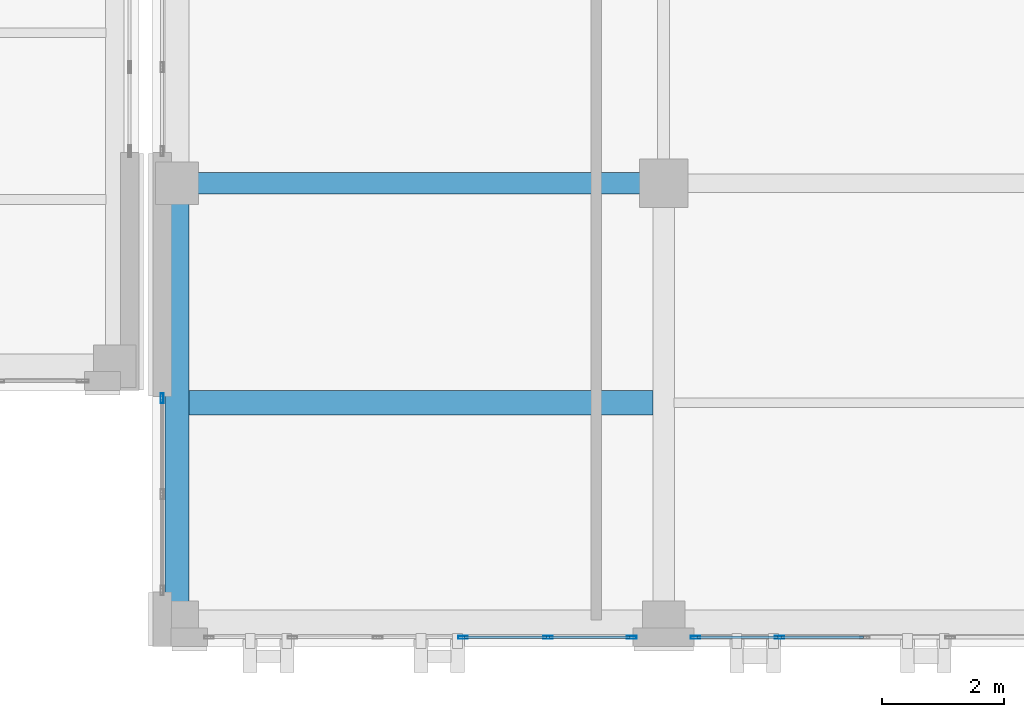
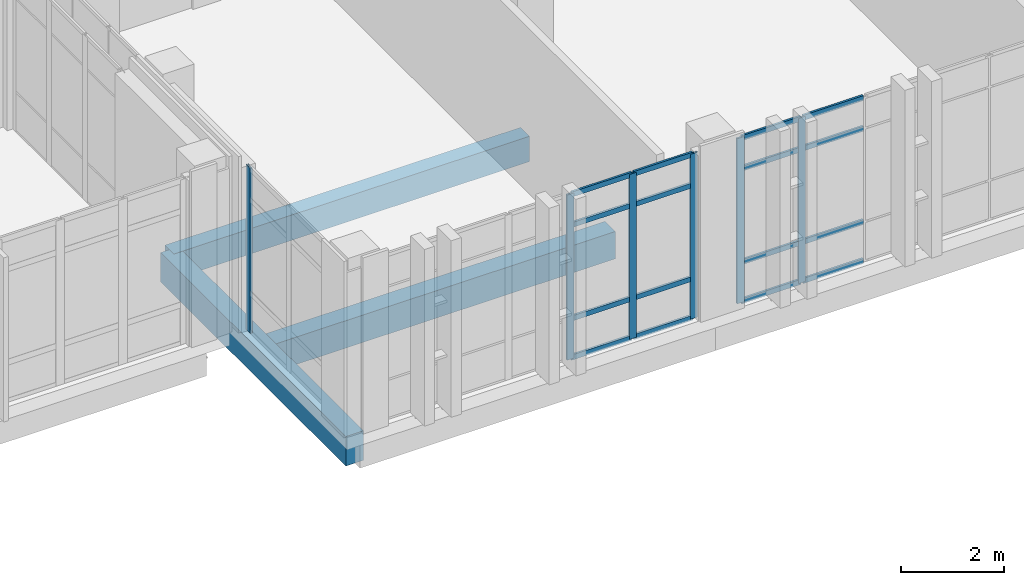
# One storey, part 46 of 193: 22 members, 3 beams, 3 elements without a shape of their own.
"""IFC4 building model written with IfcOpenShell, lengths in metres."""

import ifcopenshell
import ifcopenshell.guid

model = None  # the IFC model being written
_history = None  # IfcOwnerHistory: only IFC2X3 demands one
_inside = {}  # id of a spatial element -> (the spatial element, [elements in it])
_under = {}  # id of a project, library or spatial element -> (it, [spatial elements below it])
_declared = {}  # id of a project -> (the project, [libraries it declares])
_typed = {}  # id of a type object -> (the type object, [elements of that type])
_made_of = {}  # id of a material, layer set ... -> (it, [elements and type objects made of it])


def new_model(schema):
    """Start an empty IFC model of exactly this schema.

    Asked for "IFC4X3", IfcOpenShell would pick the latest addendum, in which some entities
    have other attributes; the version numbers below select the first issue.
    IFC2X3 requires an IfcOwnerHistory on every rooted entity: one is made here for all.
    """
    global model, _history
    if schema == "IFC4X3":
        model = ifcopenshell.file(schema_version=(4, 3, 0, 0))
    else:
        model = ifcopenshell.file(schema=schema)
    _inside.clear()
    _under.clear()
    _declared.clear()
    _typed.clear()
    _made_of.clear()
    _history = None
    if model.schema == "IFC2X3":
        org = make("IfcOrganization", Name="unknown")
        user = make(
            "IfcPersonAndOrganization",
            ThePerson=make("IfcPerson", FamilyName="unknown"),
            TheOrganization=org,
        )
        app = make(
            "IfcApplication",
            ApplicationDeveloper=org,
            Version="unknown",
            ApplicationFullName="unknown",
            ApplicationIdentifier="unknown",
        )
        _history = make(
            "IfcOwnerHistory",
            OwningUser=user,
            OwningApplication=app,
            ChangeAction="ADDED",
            CreationDate=0,
        )
    return model


def make(cls, **values):
    """One entity of the class cls with the attributes given. An attribute that is None is left unset."""
    return model.create_entity(
        cls, **{name: value for name, value in values.items() if value is not None}
    )


def rooted(cls, **values):
    """An entity with a GlobalId (a new one), such as an element, a storey or a relation."""
    return make(cls, GlobalId=ifcopenshell.guid.new(), OwnerHistory=_history, **values)


def si_unit(unit_type, name, prefix=None):
    """IfcSIUnit, for example si_unit("LENGTHUNIT", "METRE", prefix="MILLI")."""
    return make("IfcSIUnit", UnitType=unit_type, Prefix=prefix, Name=name)


def assignment(units):
    """IfcUnitAssignment: the units of a project."""
    return None if units is None else make("IfcUnitAssignment", Units=units)


def point(xyz):
    """IfcCartesianPoint."""
    return None if xyz is None else make("IfcCartesianPoint", Coordinates=xyz)


def direction(xyz):
    """IfcDirection."""
    return None if xyz is None else make("IfcDirection", DirectionRatios=xyz)


def frame(location, z_axis=None, x_axis=None):
    """IfcAxis2Placement3D, a coordinate frame: its origin and axes. An axis left out is left unset."""
    return make(
        "IfcAxis2Placement3D",
        Location=point(location),
        Axis=direction(z_axis),
        RefDirection=direction(x_axis),
    )


def frame_2d(location, x_axis=None):
    """IfcAxis2Placement2D, a coordinate frame in the plane: its origin and x axis."""
    return make(
        "IfcAxis2Placement2D", Location=point(location), RefDirection=direction(x_axis)
    )


def origin():
    """The frame at (0, 0, 0) with its axes left unset."""
    return frame((0.0, 0.0, 0.0))


def origin_2d():
    """The frame at (0, 0) in the plane with its x axis left unset."""
    return frame_2d((0.0, 0.0))


def place(relative_to, where):
    """IfcLocalPlacement: puts the frame where relative to a parent placement (None: the world)."""
    return make(
        "IfcLocalPlacement", PlacementRelTo=relative_to, RelativePlacement=where
    )


def context(
    kind, dimensions, precision=None, world=None, true_north=None, identifier=None
):
    """IfcGeometricRepresentationContext, for example the 3D "Model" context."""
    return make(
        "IfcGeometricRepresentationContext",
        ContextIdentifier=identifier,
        ContextType=kind,
        CoordinateSpaceDimension=dimensions,
        Precision=precision,
        WorldCoordinateSystem=world,
        TrueNorth=true_north,
    )


def subcontext(parent, identifier, kind, view, scale=None):
    """IfcGeometricRepresentationSubContext, for example "Body" below "Model"."""
    return make(
        "IfcGeometricRepresentationSubContext",
        ContextIdentifier=identifier,
        ContextType=kind,
        ParentContext=parent,
        TargetScale=scale,
        TargetView=view,
    )


def project(units=None, contexts=None):
    """IfcProject with its units and contexts."""
    return rooted(
        "IfcProject",
        Name="project",
        RepresentationContexts=contexts,
        UnitsInContext=assignment(units),
    )


def spatial(cls, under=None, at=None, **own):
    """A site, building, storey or space (cls), placed at a placement, below another one or the project."""
    s = rooted(cls, ObjectPlacement=at, **own)
    if under is not None:
        _under.setdefault(under.id(), (under, []))[1].append(s)
    return s


def profile(cls, at=None, kind="AREA", **sizes):
    """A parametric profile (cls). Its sizes go by their IFC names, for example OverallWidth=200.0."""
    return make(cls, ProfileType=kind, Position=at, **sizes)


def rectangle(**sizes):
    """IfcRectangleProfileDef."""
    return profile("IfcRectangleProfileDef", **sizes)


def hollow_rectangle(**sizes):
    """IfcRectangleHollowProfileDef."""
    return profile("IfcRectangleHollowProfileDef", **sizes)


def extrude(swept, where, along, depth):
    """IfcExtrudedAreaSolid: the profile swept, set in the frame where, extruded along a direction by depth."""
    return make(
        "IfcExtrudedAreaSolid",
        SweptArea=swept,
        Position=where,
        ExtrudedDirection=direction(along),
        Depth=depth,
    )


def shape(context_of_items, identifier, shape_type, items):
    """IfcShapeRepresentation: the items that make up one representation, for example the "Body"."""
    return make(
        "IfcShapeRepresentation",
        ContextOfItems=context_of_items,
        RepresentationIdentifier=identifier,
        RepresentationType=shape_type,
        Items=items,
    )


def material(Name=None, Category=None):
    """IfcMaterial."""
    return make("IfcMaterial", Name=Name, Category=Category)


def layer(
    of_material, thickness, ventilated=None, Name=None, Category=None, Priority=None
):
    """IfcMaterialLayer: one layer of a wall or slab, of a material (None: an air gap)."""
    return make(
        "IfcMaterialLayer",
        Material=of_material,
        LayerThickness=thickness,
        IsVentilated=ventilated,
        Name=Name,
        Category=Category,
        Priority=Priority,
    )


def layer_set(layers, Name=None):
    """IfcMaterialLayerSet."""
    return make("IfcMaterialLayerSet", MaterialLayers=layers, LayerSetName=Name)


def material_profile(
    of_material, cross_section, Name=None, Category=None, Priority=None
):
    """IfcMaterialProfile: a cross section and its material."""
    return make(
        "IfcMaterialProfile",
        Name=Name,
        Material=of_material,
        Profile=cross_section,
        Priority=Priority,
        Category=Category,
    )


def profile_set(profiles, Name=None, composite=None):
    """IfcMaterialProfileSet."""
    return make(
        "IfcMaterialProfileSet",
        Name=Name,
        MaterialProfiles=profiles,
        CompositeProfile=composite,
    )


def made_of(thing, what):
    """Note that an element or type object is made of a material, layer set ...; save() writes the relation."""
    if what is not None:
        _made_of.setdefault(what.id(), (what, []))[1].append(thing)
    return thing


def type_object(cls, material=None, **own):
    """A type object (cls), such as IfcWallType, which elements share."""
    return made_of(rooted(cls, **own), material)


def element(
    cls,
    number,
    at=None,
    inside=None,
    cuts=None,
    type_object=None,
    material=None,
    context=None,
    identifier="Body",
    shape_type=None,
    held_by="IfcProductDefinitionShape",
    body=None,
    shapes=None,
    **own,
):
    """One element of the class cls, such as IfcWall. Its Tag is "e" and its number.

    at: its placement. inside: the storey or other place that contains it. cuts: it is an
    opening in that element (IfcRelVoidsElement). A single representation is given by context,
    identifier, shape_type and body (its items); several are given by shapes. held_by: the class
    of the entity that holds the representations. save() writes the other relations.
    """
    e = rooted(cls, Tag="e%d" % number, ObjectPlacement=at, **own)
    if body is not None:
        shapes = [shape(context, identifier, shape_type, body)]
    if shapes is not None:
        e.Representation = make(held_by, Representations=shapes)
    if inside is not None:
        _inside.setdefault(inside.id(), (inside, []))[1].append(e)
    if cuts is not None:
        rooted(
            "IfcRelVoidsElement", RelatingBuildingElement=cuts, RelatedOpeningElement=e
        )
    if type_object is not None:
        _typed.setdefault(type_object.id(), (type_object, []))[1].append(e)
    return made_of(e, material)


def aggregate(whole, parts):
    """IfcRelAggregates: a whole, such as a stair, and the parts it consists of."""
    return rooted("IfcRelAggregates", RelatingObject=whole, RelatedObjects=parts)


def save(model, path):
    """Write the relations noted so far, then the file.

    IfcRelAggregates (storeys below a building ...), IfcRelContainedInSpatialStructure (elements
    in a storey), IfcRelDefinesByType, IfcRelAssociatesMaterial and IfcRelDeclares: one each for
    every whole, place, type object, material and project.
    """
    for whole, parts in _under.values():
        aggregate(whole, parts)
    for where, things in _inside.values():
        rooted(
            "IfcRelContainedInSpatialStructure",
            RelatedElements=things,
            RelatingStructure=where,
        )
    for kind, things in _typed.values():
        rooted("IfcRelDefinesByType", RelatedObjects=things, RelatingType=kind)
    for what, things in _made_of.values():
        rooted("IfcRelAssociatesMaterial", RelatedObjects=things, RelatingMaterial=what)
    for by, libraries in _declared.values():
        rooted("IfcRelDeclares", RelatingContext=by, RelatedDefinitions=libraries)
    model.write(path)


model = new_model("IFC4")

# Units and contexts
model_context = context("Model", 3, precision=1e-05, world=origin(), true_north=direction((0.0, 1.0)))
body_context = subcontext(model_context, "Body", "Model", "MODEL_VIEW")
ifc_project = project(units=[si_unit("LENGTHUNIT", "METRE"), si_unit("AREAUNIT", "SQUARE_METRE"), si_unit("VOLUMEUNIT", "CUBIC_METRE"), si_unit("PLANEANGLEUNIT", "RADIAN"), si_unit("MASSUNIT", "GRAM", prefix="KILO")], contexts=[model_context])

# Site, building, storey
site_placement = place(None, origin())
site = spatial("IfcSite", under=ifc_project, at=site_placement, CompositionType="ELEMENT")
building_placement = place(site_placement, origin())
building = spatial("IfcBuilding", under=site, at=building_placement, Name="Qalavern Law Courts", CompositionType="ELEMENT")
storey_placement = place(building_placement, frame((0.0, 0.0, 10.199951171875)))
storey = spatial("IfcBuildingStorey", under=building, at=storey_placement, Name="L02", CompositionType="ELEMENT", Elevation=10.199951171875)

# Curtain wall, members
ifc_material_1 = material(Name="Anodised aluminium and insulated glazing", Category="aluminium")
ifc_layer = layer(ifc_material_1, 0.172119140625)
ifc_layer_set = layer_set([ifc_layer], Name="Anodised aluminium and insulated glazing")
curtain_wall_type = type_object("IfcCurtainWallType", Name="ENV-CW-COURT", PredefinedType="USERDEFINED", material=ifc_layer_set)
curtain_wall_1_placement = place(storey_placement, origin())
curtain_wall_1 = element("IfcCurtainWall", 1, at=curtain_wall_1_placement, inside=storey, type_object=curtain_wall_type, Name="V6 unitised curtain wall L02 south 1", ObjectType="UNITISED CURTAIN WALL", PredefinedType="USERDEFINED")
ifc_material_2 = material(Name="Anodised aluminium", Category="aluminium")
ifc_material_profile_1 = material_profile(ifc_material_2, hollow_rectangle(XDim=0.048095703125, YDim=0.159912109375, WallThickness=0.00390625, at=origin_2d()), Name="ALU MULLION 48x160")
ifc_profile_set_1 = profile_set([ifc_material_profile_1], Name="Anodised aluminium")
member_type_1 = type_object("IfcMemberType", Name="ENV-CWM-48x160", PredefinedType="MULLION", material=ifc_profile_set_1)
member_1_placement = place(storey_placement, frame((106.508056640625, 1.155029296875, 0.0), z_axis=(0.0, 0.0, 1.0), x_axis=(0.0, 1.0, 0.0)))
member_1 = element("IfcMember", 2, at=member_1_placement, type_object=member_type_1, Name="CW-03 mullion 4", PredefinedType="MULLION", context=body_context, shape_type="SweptSolid", body=[
    extrude(hollow_rectangle(XDim=0.048095703125, YDim=0.159912109375, WallThickness=0.00390625, at=origin_2d()), origin(), (0.0, 0.0, 1.0), 3.9150390625),
])
member_2_placement = place(storey_placement, frame((107.904052734375, 1.155029296875, 0.0), z_axis=(0.0, 0.0, 1.0), x_axis=(0.0, 1.0, 0.0)))
member_2 = element("IfcMember", 3, at=member_2_placement, type_object=member_type_1, Name="CW-03 mullion 5", PredefinedType="MULLION", context=body_context, shape_type="SweptSolid", body=[
    extrude(hollow_rectangle(XDim=0.048095703125, YDim=0.159912109375, WallThickness=0.00390625, at=origin_2d()), origin(), (0.0, 0.0, 1.0), 3.9150390625),
])
member_3_placement = place(storey_placement, frame((109.27587890625, 1.155029296875, 0.0), z_axis=(0.0, 0.0, 1.0), x_axis=(0.0, 1.0, 0.0)))
member_3 = element("IfcMember", 4, at=member_3_placement, type_object=member_type_1, Name="CW-03 mullion 6", PredefinedType="MULLION", context=body_context, shape_type="SweptSolid", body=[
    extrude(hollow_rectangle(XDim=0.048095703125, YDim=0.159912109375, WallThickness=0.00390625, at=origin_2d()), origin(), (0.0, 0.0, 1.0), 3.9150390625),
])

curtain_wall_2_placement = place(storey_placement, origin())
curtain_wall_2 = element("IfcCurtainWall", 5, at=curtain_wall_2_placement, inside=storey, type_object=curtain_wall_type, Name="V6 unitised curtain wall L02 south 2", ObjectType="UNITISED CURTAIN WALL", PredefinedType="USERDEFINED")
member_4_placement = place(storey_placement, frame((110.323974609375, 1.155029296875, 0.0), z_axis=(0.0, 0.0, 1.0), x_axis=(0.0, 1.0, 0.0)))
member_4 = element("IfcMember", 6, at=member_4_placement, type_object=member_type_1, Name="CW-03 mullion 1", PredefinedType="MULLION", context=body_context, shape_type="SweptSolid", body=[
    extrude(hollow_rectangle(XDim=0.048095703125, YDim=0.159912109375, WallThickness=0.00390625, at=origin_2d()), origin(), (0.0, 0.0, 1.0), 3.9150390625),
])
member_5_placement = place(storey_placement, frame((111.699951171875, 1.155029296875, 0.0), z_axis=(0.0, 0.0, 1.0), x_axis=(0.0, 1.0, 0.0)))
member_5 = element("IfcMember", 7, at=member_5_placement, type_object=member_type_1, Name="CW-03 mullion 2", PredefinedType="MULLION", context=body_context, shape_type="SweptSolid", body=[
    extrude(hollow_rectangle(XDim=0.048095703125, YDim=0.159912109375, WallThickness=0.00390625, at=origin_2d()), origin(), (0.0, 0.0, 1.0), 3.9150390625),
])

# Curtain wall, member
curtain_wall_3_placement = place(storey_placement, origin())
curtain_wall_3 = element("IfcCurtainWall", 8, at=curtain_wall_3_placement, inside=storey, type_object=curtain_wall_type, Name="V6 unitised curtain wall L02 west 2", ObjectType="UNITISED CURTAIN WALL", PredefinedType="USERDEFINED")
member_6_placement = place(storey_placement, frame((101.574951171875, 5.075927734375, 0.0), z_axis=(0.0, 0.0, 1.0), x_axis=(1.0, 0.0, 0.0)))
member_6 = element("IfcMember", 9, at=member_6_placement, type_object=member_type_1, Name="CW-03 mullion 1", PredefinedType="MULLION", context=body_context, shape_type="SweptSolid", body=[
    extrude(hollow_rectangle(XDim=0.048095703125, YDim=0.159912109375, WallThickness=0.00390625, at=origin_2d()), origin(), (0.0, 0.0, 1.0), 3.9150390625),
])
aggregate(curtain_wall_3, [member_6])

# Member
ifc_material_profile_2 = material_profile(ifc_material_2, hollow_rectangle(XDim=0.048095703125, YDim=0.1201171875, WallThickness=0.00390625, at=origin_2d()), Name="ALU TRANSOM 48x120")
ifc_profile_set_2 = profile_set([ifc_material_profile_2], Name="Anodised aluminium")
member_type_2 = type_object("IfcMemberType", Name="ENV-CWT-48x120", PredefinedType="USERDEFINED", material=ifc_profile_set_2)
member_7_placement = place(storey_placement, frame((106.531982421875, 1.155029296875, 0.024169921875), z_axis=(1.0, 0.0, 0.0), x_axis=(0.0, 1.0, 0.0)))
member_7 = element("IfcMember", 10, at=member_7_placement, type_object=member_type_2, Name="CW-03 transom 4.1", ObjectType="TRANSOM", PredefinedType="USERDEFINED", context=body_context, shape_type="SweptSolid", body=[
    extrude(hollow_rectangle(XDim=0.048095703125, YDim=0.1201171875, WallThickness=0.00390625, at=origin_2d()), origin(), (0.0, 0.0, 1.0), 1.347900390625),
])

member_8_placement = place(storey_placement, frame((106.531982421875, 1.155029296875, 0.949951171875), z_axis=(1.0, 0.0, 0.0), x_axis=(0.0, 1.0, 0.0)))
member_8 = element("IfcMember", 11, at=member_8_placement, type_object=member_type_2, Name="CW-03 transom 4.2", ObjectType="TRANSOM", PredefinedType="USERDEFINED", context=body_context, shape_type="SweptSolid", body=[
    extrude(hollow_rectangle(XDim=0.048095703125, YDim=0.1201171875, WallThickness=0.00390625, at=origin_2d()), origin(), (0.0, 0.0, 1.0), 1.347900390625),
])

member_9_placement = place(storey_placement, frame((106.531982421875, 1.155029296875, 3.1650390625), z_axis=(1.0, 0.0, 0.0), x_axis=(0.0, 1.0, 0.0)))
member_9 = element("IfcMember", 12, at=member_9_placement, type_object=member_type_2, Name="CW-03 transom 4.3", ObjectType="TRANSOM", PredefinedType="USERDEFINED", context=body_context, shape_type="SweptSolid", body=[
    extrude(hollow_rectangle(XDim=0.048095703125, YDim=0.1201171875, WallThickness=0.00390625, at=origin_2d()), origin(), (0.0, 0.0, 1.0), 1.347900390625),
])

member_10_placement = place(storey_placement, frame((106.531982421875, 1.155029296875, 3.89111328125), z_axis=(1.0, 0.0, 0.0), x_axis=(0.0, 1.0, 0.0)))
member_10 = element("IfcMember", 13, at=member_10_placement, type_object=member_type_2, Name="CW-03 transom 4.4", ObjectType="TRANSOM", PredefinedType="USERDEFINED", context=body_context, shape_type="SweptSolid", body=[
    extrude(hollow_rectangle(XDim=0.048095703125, YDim=0.1201171875, WallThickness=0.00390625, at=origin_2d()), origin(), (0.0, 0.0, 1.0), 1.347900390625),
])

member_11_placement = place(storey_placement, frame((107.927978515625, 1.155029296875, 0.024169921875), z_axis=(1.0, 0.0, 0.0), x_axis=(0.0, 1.0, 0.0)))
member_11 = element("IfcMember", 14, at=member_11_placement, type_object=member_type_2, Name="CW-03 transom 5.1", ObjectType="TRANSOM", PredefinedType="USERDEFINED", context=body_context, shape_type="SweptSolid", body=[
    extrude(hollow_rectangle(XDim=0.048095703125, YDim=0.1201171875, WallThickness=0.00390625, at=origin_2d()), origin(), (0.0, 0.0, 1.0), 1.323974609375),
])

member_12_placement = place(storey_placement, frame((107.927978515625, 1.155029296875, 0.949951171875), z_axis=(1.0, 0.0, 0.0), x_axis=(0.0, 1.0, 0.0)))
member_12 = element("IfcMember", 15, at=member_12_placement, type_object=member_type_2, Name="CW-03 transom 5.2", ObjectType="TRANSOM", PredefinedType="USERDEFINED", context=body_context, shape_type="SweptSolid", body=[
    extrude(hollow_rectangle(XDim=0.048095703125, YDim=0.1201171875, WallThickness=0.00390625, at=origin_2d()), origin(), (0.0, 0.0, 1.0), 1.323974609375),
])

member_13_placement = place(storey_placement, frame((107.927978515625, 1.155029296875, 3.1650390625), z_axis=(1.0, 0.0, 0.0), x_axis=(0.0, 1.0, 0.0)))
member_13 = element("IfcMember", 16, at=member_13_placement, type_object=member_type_2, Name="CW-03 transom 5.3", ObjectType="TRANSOM", PredefinedType="USERDEFINED", context=body_context, shape_type="SweptSolid", body=[
    extrude(hollow_rectangle(XDim=0.048095703125, YDim=0.1201171875, WallThickness=0.00390625, at=origin_2d()), origin(), (0.0, 0.0, 1.0), 1.323974609375),
])

member_14_placement = place(storey_placement, frame((107.927978515625, 1.155029296875, 3.89111328125), z_axis=(1.0, 0.0, 0.0), x_axis=(0.0, 1.0, 0.0)))
member_14 = element("IfcMember", 17, at=member_14_placement, type_object=member_type_2, Name="CW-03 transom 5.4", ObjectType="TRANSOM", PredefinedType="USERDEFINED", context=body_context, shape_type="SweptSolid", body=[
    extrude(hollow_rectangle(XDim=0.048095703125, YDim=0.1201171875, WallThickness=0.00390625, at=origin_2d()), origin(), (0.0, 0.0, 1.0), 1.323974609375),
])

aggregate(curtain_wall_1, [member_1, member_2, member_3, member_7, member_8, member_9, member_10, member_11, member_12, member_13, member_14])

member_15_placement = place(storey_placement, frame((110.347900390625, 1.155029296875, 0.024169921875), z_axis=(1.0, 0.0, 0.0), x_axis=(0.0, 1.0, 0.0)))
member_15 = element("IfcMember", 18, at=member_15_placement, type_object=member_type_2, Name="CW-03 transom 1.1", ObjectType="TRANSOM", PredefinedType="USERDEFINED", context=body_context, shape_type="SweptSolid", body=[
    extrude(hollow_rectangle(XDim=0.048095703125, YDim=0.1201171875, WallThickness=0.00390625, at=origin_2d()), origin(), (0.0, 0.0, 1.0), 1.328125),
])

member_16_placement = place(storey_placement, frame((110.347900390625, 1.155029296875, 0.949951171875), z_axis=(1.0, 0.0, 0.0), x_axis=(0.0, 1.0, 0.0)))
member_16 = element("IfcMember", 19, at=member_16_placement, type_object=member_type_2, Name="CW-03 transom 1.2", ObjectType="TRANSOM", PredefinedType="USERDEFINED", context=body_context, shape_type="SweptSolid", body=[
    extrude(hollow_rectangle(XDim=0.048095703125, YDim=0.1201171875, WallThickness=0.00390625, at=origin_2d()), origin(), (0.0, 0.0, 1.0), 1.328125),
])

member_17_placement = place(storey_placement, frame((110.347900390625, 1.155029296875, 3.1650390625), z_axis=(1.0, 0.0, 0.0), x_axis=(0.0, 1.0, 0.0)))
member_17 = element("IfcMember", 20, at=member_17_placement, type_object=member_type_2, Name="CW-03 transom 1.3", ObjectType="TRANSOM", PredefinedType="USERDEFINED", context=body_context, shape_type="SweptSolid", body=[
    extrude(hollow_rectangle(XDim=0.048095703125, YDim=0.1201171875, WallThickness=0.00390625, at=origin_2d()), origin(), (0.0, 0.0, 1.0), 1.328125),
])

member_18_placement = place(storey_placement, frame((110.347900390625, 1.155029296875, 3.89111328125), z_axis=(1.0, 0.0, 0.0), x_axis=(0.0, 1.0, 0.0)))
member_18 = element("IfcMember", 21, at=member_18_placement, type_object=member_type_2, Name="CW-03 transom 1.4", ObjectType="TRANSOM", PredefinedType="USERDEFINED", context=body_context, shape_type="SweptSolid", body=[
    extrude(hollow_rectangle(XDim=0.048095703125, YDim=0.1201171875, WallThickness=0.00390625, at=origin_2d()), origin(), (0.0, 0.0, 1.0), 1.328125),
])

member_19_placement = place(storey_placement, frame((111.72412109375, 1.155029296875, 0.024169921875), z_axis=(1.0, 0.0, 0.0), x_axis=(0.0, 1.0, 0.0)))
member_19 = element("IfcMember", 22, at=member_19_placement, type_object=member_type_2, Name="CW-03 transom 2.1", ObjectType="TRANSOM", PredefinedType="USERDEFINED", context=body_context, shape_type="SweptSolid", body=[
    extrude(hollow_rectangle(XDim=0.048095703125, YDim=0.1201171875, WallThickness=0.00390625, at=origin_2d()), origin(), (0.0, 0.0, 1.0), 1.351806640625),
])

member_20_placement = place(storey_placement, frame((111.72412109375, 1.155029296875, 0.949951171875), z_axis=(1.0, 0.0, 0.0), x_axis=(0.0, 1.0, 0.0)))
member_20 = element("IfcMember", 23, at=member_20_placement, type_object=member_type_2, Name="CW-03 transom 2.2", ObjectType="TRANSOM", PredefinedType="USERDEFINED", context=body_context, shape_type="SweptSolid", body=[
    extrude(hollow_rectangle(XDim=0.048095703125, YDim=0.1201171875, WallThickness=0.00390625, at=origin_2d()), origin(), (0.0, 0.0, 1.0), 1.351806640625),
])

member_21_placement = place(storey_placement, frame((111.72412109375, 1.155029296875, 3.1650390625), z_axis=(1.0, 0.0, 0.0), x_axis=(0.0, 1.0, 0.0)))
member_21 = element("IfcMember", 24, at=member_21_placement, type_object=member_type_2, Name="CW-03 transom 2.3", ObjectType="TRANSOM", PredefinedType="USERDEFINED", context=body_context, shape_type="SweptSolid", body=[
    extrude(hollow_rectangle(XDim=0.048095703125, YDim=0.1201171875, WallThickness=0.00390625, at=origin_2d()), origin(), (0.0, 0.0, 1.0), 1.351806640625),
])

member_22_placement = place(storey_placement, frame((111.72412109375, 1.155029296875, 3.89111328125), z_axis=(1.0, 0.0, 0.0), x_axis=(0.0, 1.0, 0.0)))
member_22 = element("IfcMember", 25, at=member_22_placement, type_object=member_type_2, Name="CW-03 transom 2.4", ObjectType="TRANSOM", PredefinedType="USERDEFINED", context=body_context, shape_type="SweptSolid", body=[
    extrude(hollow_rectangle(XDim=0.048095703125, YDim=0.1201171875, WallThickness=0.00390625, at=origin_2d()), origin(), (0.0, 0.0, 1.0), 1.351806640625),
])

aggregate(curtain_wall_2, [member_4, member_5, member_15, member_16, member_17, member_18, member_19, member_20, member_21, member_22])

# Beams
ifc_material_3 = material(Name="Concrete C35/45", Category="concrete")
ifc_material_profile_3 = material_profile(ifc_material_3, rectangle(XDim=0.35009765625, YDim=0.60009765625, at=origin_2d()), Name="RC 350x600")
ifc_profile_set_3 = profile_set([ifc_material_profile_3], Name="Concrete C35/45")
beam_type_1 = type_object("IfcBeamType", Name="STR-BM-RC350x600", PredefinedType="BEAM", material=ifc_profile_set_3)
beam_1_placement = place(storey_placement, frame((101.820068359375, 8.60009765625, -0.58984375), z_axis=(1.0, 0.0, 0.0), x_axis=(0.0, 1.0, 0.0)))
element("IfcBeam", 26, at=beam_1_placement, inside=storey, type_object=beam_type_1, Name="V6 X-beam 2-1 L02", PredefinedType="BEAM", context=body_context, shape_type="SweptSolid", body=[
    extrude(rectangle(XDim=0.35009765625, YDim=0.60009765625, at=origin_2d()), origin(), (0.0, 0.0, 1.0), 7.97998046875),
])
ifc_material_profile_4 = material_profile(ifc_material_3, rectangle(XDim=0.39990234375, YDim=0.64990234375, at=origin_2d()), Name="RC 400x650")
ifc_profile_set_4 = profile_set([ifc_material_profile_4], Name="Concrete C35/45")
beam_type_2 = type_object("IfcBeamType", Name="STR-JST-RC400x650", PredefinedType="JOIST", material=ifc_profile_set_4)
beam_2_placement = place(storey_placement, frame((102.01806640625, 5.0, -0.614990234375), z_axis=(1.0, 0.0, 0.0), x_axis=(0.0, 1.0, 0.0)))
element("IfcBeam", 27, at=beam_2_placement, inside=storey, type_object=beam_type_2, Name="V6 secondary joist 1.1.1 L02", PredefinedType="JOIST", context=body_context, shape_type="SweptSolid", body=[
    extrude(rectangle(XDim=0.39990234375, YDim=0.64990234375, at=origin_2d()), origin(), (0.0, 0.0, 1.0), 7.60888671875),
])
ifc_material_4 = material(Name="Concrete C40/50", Category="concrete")
ifc_material_profile_5 = material_profile(ifc_material_4, rectangle(XDim=0.39990234375, YDim=0.699951171875, at=origin_2d()), Name="RC 400x700")
ifc_profile_set_5 = profile_set([ifc_material_profile_5], Name="Concrete C40/50")
beam_type_3 = type_object("IfcBeamType", Name="STR-SP-RC400x700", PredefinedType="SPANDREL", material=ifc_profile_set_5)
beam_3_placement = place(storey_placement, frame((101.820068359375, 1.39990234375, -0.639892578125), z_axis=(0.0, 1.0, 0.0), x_axis=(-1.0, 0.0, 0.0)))
element("IfcBeam", 28, at=beam_3_placement, inside=storey, type_object=beam_type_3, Name="V6 Y-beam 1-1 L02", PredefinedType="SPANDREL", context=body_context, shape_type="SweptSolid", body=[
    extrude(rectangle(XDim=0.39990234375, YDim=0.699951171875, at=origin_2d()), origin(), (0.0, 0.0, 1.0), 7.2001953125),
])

save(model, "model.ifc")
